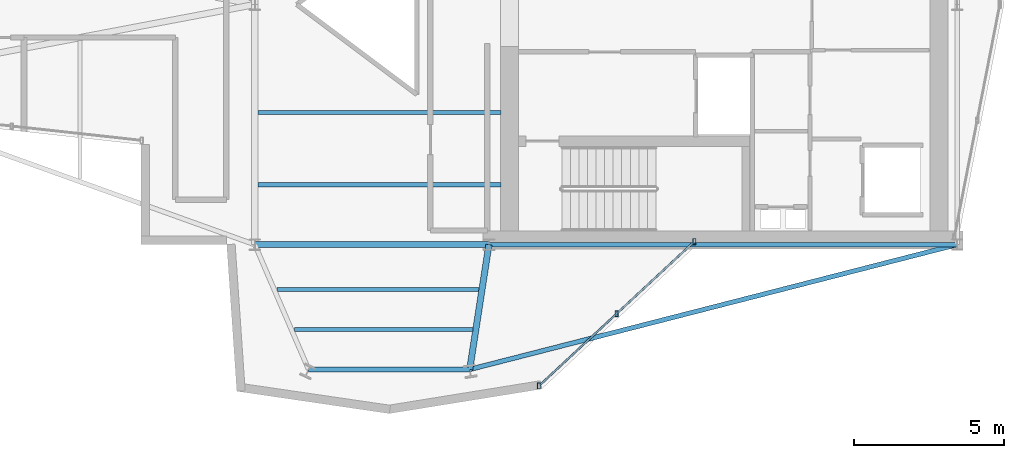
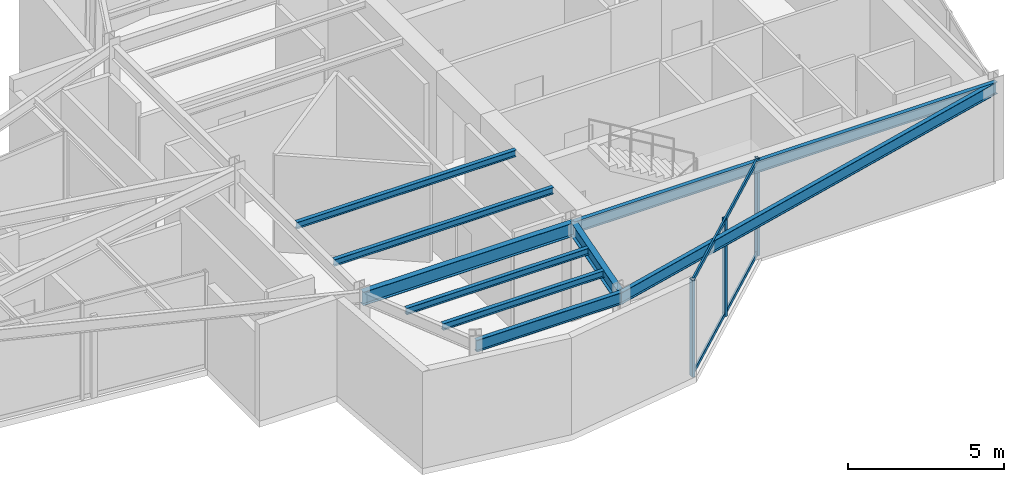
# One storey, part 3 of 11: 9 beams, 5 members, 1 element without a shape of its own.
"""IFC4 building model written with IfcOpenShell, lengths in metres."""

from ifc_helpers import new_model, si_unit, direction, frame, origin, origin_2d, place, context, subcontext, project, spatial, hollow_rectangle, i_section, extrude, material, layer, layer_set, material_profile, profile_set, type_object, element, aggregate, save


model = new_model("IFC4")

# Units and contexts
model_context = context("Model", 3, precision=1e-05, world=origin(), true_north=direction((0.0, 1.0)))
body_context = subcontext(model_context, "Body", "Model", "MODEL_VIEW")
ifc_project = project(units=[si_unit("LENGTHUNIT", "METRE"), si_unit("AREAUNIT", "SQUARE_METRE"), si_unit("VOLUMEUNIT", "CUBIC_METRE"), si_unit("PLANEANGLEUNIT", "RADIAN"), si_unit("MASSUNIT", "GRAM", prefix="KILO")], contexts=[model_context])

# Site, building, storey
site_placement = place(None, origin())
site = spatial("IfcSite", under=ifc_project, at=site_placement, CompositionType="ELEMENT")
building_placement = place(site_placement, origin())
building = spatial("IfcBuilding", under=site, at=building_placement, Name="Veymaron Broadcast Tower", CompositionType="ELEMENT")
storey_placement = place(building_placement, frame((0.0, 0.0, 323.550048828125)))
storey = spatial("IfcBuildingStorey", under=building, at=storey_placement, Name="L76", CompositionType="ELEMENT", Elevation=323.550048828125)

# Beams
ifc_material_1 = material(Name="Structural steel ASTM A992 Gr 50", Category="steel")
ifc_material_profile_1 = material_profile(ifc_material_1, i_section(OverallWidth=0.208984375, OverallDepth=0.528076171875, WebThickness=0.009521484375, FlangeThickness=0.01318359375, at=origin_2d()), Name="W530X82")
ifc_profile_set_1 = profile_set([ifc_material_profile_1], Name="Structural steel ASTM A992 Gr 50")
beam_type_1 = type_object("IfcBeamType", Name="BM-FG4", PredefinedType="BEAM", material=ifc_profile_set_1)
beam_1_placement = place(storey_placement, frame((31.199951171875, 16.0, 3.505859375), z_axis=(1.0, 0.0, 0.0), x_axis=(0.0, 1.0, 0.0)))
element("IfcBeam", 1, at=beam_1_placement, inside=storey, type_object=beam_type_1, Name="L76 primary structural floor girder", PredefinedType="BEAM", context=body_context, shape_type="SweptSolid", body=[
    extrude(i_section(OverallWidth=0.208984375, OverallDepth=0.528076171875, WebThickness=0.009521484375, FlangeThickness=0.01318359375, at=origin_2d()), origin(), (0.0, 0.0, 1.0), 7.800048828125),
])
beam_2_placement = place(storey_placement, frame((39.0, 16.0, 3.505859375), z_axis=(-0.152035389817, -0.988375050395, 0.0), x_axis=(0.988375050395, -0.152035389817, 0.0)))
element("IfcBeam", 2, at=beam_2_placement, inside=storey, type_object=beam_type_1, Name="L76 primary structural floor girder", PredefinedType="BEAM", context=body_context, shape_type="SweptSolid", body=[
    extrude(i_section(OverallWidth=0.208984375, OverallDepth=0.528076171875, WebThickness=0.009521484375, FlangeThickness=0.01318359375, at=origin_2d()), origin(), (0.0, 0.0, 1.0), 4.208740234375),
])
ifc_material_profile_2 = material_profile(ifc_material_1, i_section(OverallWidth=0.14599609375, OverallDepth=0.258056640625, WebThickness=0.006103515625, FlangeThickness=0.009033203125, at=origin_2d()), Name="W250X33")
ifc_profile_set_2 = profile_set([ifc_material_profile_2], Name="Structural steel ASTM A992 Gr 50")
beam_type_2 = type_object("IfcBeamType", Name="BM-JS4", PredefinedType="JOIST", material=ifc_profile_set_2)
beam_3_placement = place(storey_placement, frame((31.945068359375, 14.50244140625, 3.640869140625), z_axis=(1.0, 0.0, 0.0), x_axis=(0.0, 1.0, 0.0)))
element("IfcBeam", 3, at=beam_3_placement, inside=storey, type_object=beam_type_2, Name="L76 Arm-C secondary joist 1", PredefinedType="JOIST", context=body_context, shape_type="SweptSolid", body=[
    extrude(i_section(OverallWidth=0.14599609375, OverallDepth=0.258056640625, WebThickness=0.006103515625, FlangeThickness=0.009033203125, at=origin_2d()), origin(), (0.0, 0.0, 1.0), 6.724609375),
])
beam_4_placement = place(storey_placement, frame((32.5185546875, 13.171142578125, 3.640869140625), z_axis=(1.0, 0.0, 0.0), x_axis=(0.0, 1.0, 0.0)))
element("IfcBeam", 4, at=beam_4_placement, inside=storey, type_object=beam_type_2, Name="L76 Arm-C secondary joist 2", PredefinedType="JOIST", context=body_context, shape_type="SweptSolid", body=[
    extrude(i_section(OverallWidth=0.14599609375, OverallDepth=0.258056640625, WebThickness=0.006103515625, FlangeThickness=0.009033203125, at=origin_2d()), origin(), (0.0, 0.0, 1.0), 5.9462890625),
])
for number, where, z_axis, x_axis, name in (
    (5, (31.300048828125, 18.0, 3.640869140625), (1.0, 0.0, 0.0), (0.0, 1.0, 0.0), "L76 Hub secondary joist 1"),
    (6, (31.300048828125, 20.39990234375, 3.640869140625), (1.0, 0.0, 0.0), (0.0, 1.0, 0.0), "L76 Hub secondary joist 2"),
):
    element("IfcBeam", number, at=place(storey_placement, frame(where, z_axis=z_axis, x_axis=x_axis)), inside=storey, type_object=beam_type_2, Name=name, PredefinedType="JOIST", context=body_context, shape_type="SweptSolid", body=[
        extrude(i_section(OverallWidth=0.14599609375, OverallDepth=0.258056640625, WebThickness=0.006103515625, FlangeThickness=0.009033203125, at=origin_2d()), origin(), (0.0, 0.0, 1.0), 8.099853515625),
    ])
ifc_material_profile_3 = material_profile(ifc_material_1, i_section(OverallWidth=0.154052734375, OverallDepth=0.458984375, WebThickness=0.009033203125, FlangeThickness=0.015380859375, at=origin_2d()), Name="W460X68")
ifc_profile_set_3 = profile_set([ifc_material_profile_3], Name="Structural steel ASTM A992 Gr 50")
beam_type_3 = type_object("IfcBeamType", Name="BM-SP2", PredefinedType="SPANDREL", material=ifc_profile_set_3)
beam_5_placement = place(storey_placement, frame((39.0, 16.0, 3.54052734375), z_axis=(1.0, 0.0, 0.0), x_axis=(0.0, 1.0, 0.0)))
element("IfcBeam", 7, at=beam_5_placement, inside=storey, type_object=beam_type_3, Name="L76 primary structural floor girder", PredefinedType="SPANDREL", context=body_context, shape_type="SweptSolid", body=[
    extrude(i_section(OverallWidth=0.154052734375, OverallDepth=0.458984375, WebThickness=0.009033203125, FlangeThickness=0.015380859375, at=origin_2d()), origin(), (0.0, 0.0, 1.0), 15.60009765625),
])
beam_6_placement = place(storey_placement, frame((54.60009765625, 16.0, 3.54052734375), z_axis=(-0.968723940859, -0.248140940608, 0.0), x_axis=(0.248140940608, -0.968723940859, 0.0)))
element("IfcBeam", 8, at=beam_6_placement, inside=storey, type_object=beam_type_3, Name="L76 primary structural floor girder", PredefinedType="SPANDREL", context=body_context, shape_type="SweptSolid", body=[
    extrude(i_section(OverallWidth=0.154052734375, OverallDepth=0.458984375, WebThickness=0.009033203125, FlangeThickness=0.015380859375, at=origin_2d()), origin(), (0.0, 0.0, 1.0), 16.764404296875),
])
beam_7_placement = place(storey_placement, frame((32.991943359375, 11.840087890625, 3.54052734375), z_axis=(1.0, 0.0, 0.0), x_axis=(0.0, 1.0, 0.0)))
element("IfcBeam", 9, at=beam_7_placement, inside=storey, type_object=beam_type_3, Name="L76 primary structural floor girder", PredefinedType="SPANDREL", context=body_context, shape_type="SweptSolid", body=[
    extrude(i_section(OverallWidth=0.154052734375, OverallDepth=0.458984375, WebThickness=0.009033203125, FlangeThickness=0.015380859375, at=origin_2d()), origin(), (0.0, 0.0, 1.0), 5.3681640625),
])

# Curtain wall, members
ifc_material_2 = material(Name="Anodised aluminium AA 6063-T6 and laminated low-E dark glass", Category="aluminium")
ifc_layer = layer(ifc_material_2, 0.179931640625)
ifc_layer_set = layer_set([ifc_layer], Name="Anodised aluminium AA 6063-T6 and laminated low-E dark glass")
curtain_wall_type = type_object("IfcCurtainWallType", Name="CW-SYS-06", PredefinedType="NOTDEFINED", material=ifc_layer_set)
curtain_wall_placement = place(storey_placement, origin())
curtain_wall = element("IfcCurtainWall", 10, at=curtain_wall_placement, inside=storey, type_object=curtain_wall_type, Name="L76 dark-glass curtain wall CW-L76-E20-1", PredefinedType="NOTDEFINED")
ifc_material_3 = material(Name="Anodised aluminium AA 6063-T6", Category="aluminium")
ifc_material_profile_4 = material_profile(ifc_material_3, hollow_rectangle(XDim=0.10009765625, YDim=0.199951171875, WallThickness=0.010009765625, at=origin_2d()), Name="RHS200X100X10")
ifc_profile_set_4 = profile_set([ifc_material_profile_4], Name="Anodised aluminium AA 6063-T6")
member_type_1 = type_object("IfcMemberType", Name="CW-MUL-01", PredefinedType="MULLION", material=ifc_profile_set_4)
member_1_placement = place(storey_placement, frame((40.6640625, 11.289794921875, 0.0), z_axis=(0.0, 0.0, 1.0), x_axis=(1.0, 0.0, 0.0)))
member_1 = element("IfcMember", 11, at=member_1_placement, type_object=member_type_1, Name="CW-L76-E20-1 mullion 0", PredefinedType="MULLION", context=body_context, shape_type="SweptSolid", body=[
    extrude(hollow_rectangle(XDim=0.10009765625, YDim=0.199951171875, WallThickness=0.010009765625, at=origin_2d()), origin(), (0.0, 0.0, 1.0), 3.77001953125),
])
member_2_placement = place(storey_placement, frame((43.25390625, 13.6962890625, 0.0), z_axis=(0.0, 0.0, 1.0), x_axis=(1.0, 0.0, 0.0)))
member_2 = element("IfcMember", 12, at=member_2_placement, type_object=member_type_1, Name="CW-L76-E20-1 mullion 1", PredefinedType="MULLION", context=body_context, shape_type="SweptSolid", body=[
    extrude(hollow_rectangle(XDim=0.10009765625, YDim=0.199951171875, WallThickness=0.010009765625, at=origin_2d()), origin(), (0.0, 0.0, 1.0), 3.77001953125),
])
member_3_placement = place(storey_placement, frame((45.84375, 16.1025390625, 0.0), z_axis=(0.0, 0.0, 1.0), x_axis=(1.0, 0.0, 0.0)))
member_3 = element("IfcMember", 13, at=member_3_placement, type_object=member_type_1, Name="CW-L76-E20-1 mullion 2", PredefinedType="MULLION", context=body_context, shape_type="SweptSolid", body=[
    extrude(hollow_rectangle(XDim=0.10009765625, YDim=0.199951171875, WallThickness=0.010009765625, at=origin_2d()), origin(), (0.0, 0.0, 1.0), 3.77001953125),
])
ifc_material_profile_5 = material_profile(ifc_material_3, hollow_rectangle(XDim=0.06494140625, YDim=0.14990234375, WallThickness=0.00390625, at=origin_2d()), Name="AL150X65X4")
ifc_profile_set_5 = profile_set([ifc_material_profile_5], Name="Anodised aluminium AA 6063-T6")
member_type_2 = type_object("IfcMemberType", Name="CW-TRN-01", PredefinedType="USERDEFINED", material=ifc_profile_set_5)
member_4_placement = place(storey_placement, frame((40.70068359375, 11.32373046875, 0.070068359375), z_axis=(0.732566417179, 0.680695559279, 0.0), x_axis=(-0.680695559279, 0.732566417179, 0.0)))
member_4 = element("IfcMember", 14, at=member_4_placement, type_object=member_type_2, Name="CW-L76-E20-1 transom B", ObjectType="TRANSOM", PredefinedType="USERDEFINED", context=body_context, shape_type="SweptSolid", body=[
    extrude(hollow_rectangle(XDim=0.06494140625, YDim=0.14990234375, WallThickness=0.00390625, at=origin_2d()), origin(), (0.0, 0.0, 1.0), 6.970703125),
])
member_5_placement = place(storey_placement, frame((40.70068359375, 11.32373046875, 3.699951171875), z_axis=(0.732566417179, 0.680695559279, 0.0), x_axis=(-0.680695559279, 0.732566417179, 0.0)))
member_5 = element("IfcMember", 15, at=member_5_placement, type_object=member_type_2, Name="CW-L76-E20-1 transom T", ObjectType="TRANSOM", PredefinedType="USERDEFINED", context=body_context, shape_type="SweptSolid", body=[
    extrude(hollow_rectangle(XDim=0.06494140625, YDim=0.14990234375, WallThickness=0.00390625, at=origin_2d()), origin(), (0.0, 0.0, 1.0), 6.970703125),
])
aggregate(curtain_wall, [member_1, member_2, member_3, member_4, member_5])

save(model, "model.ifc")
